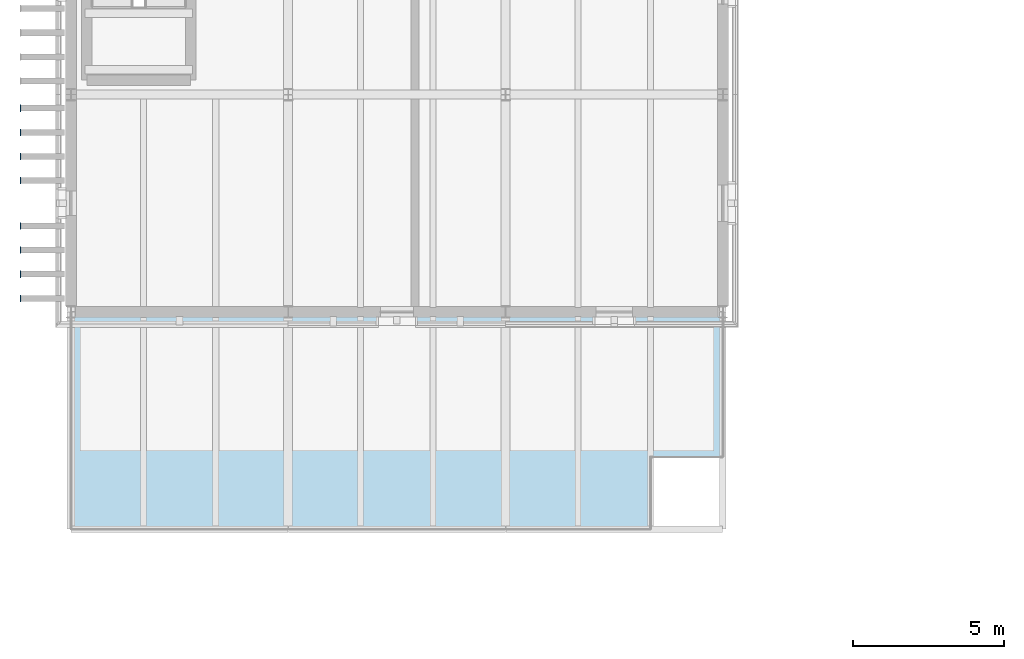
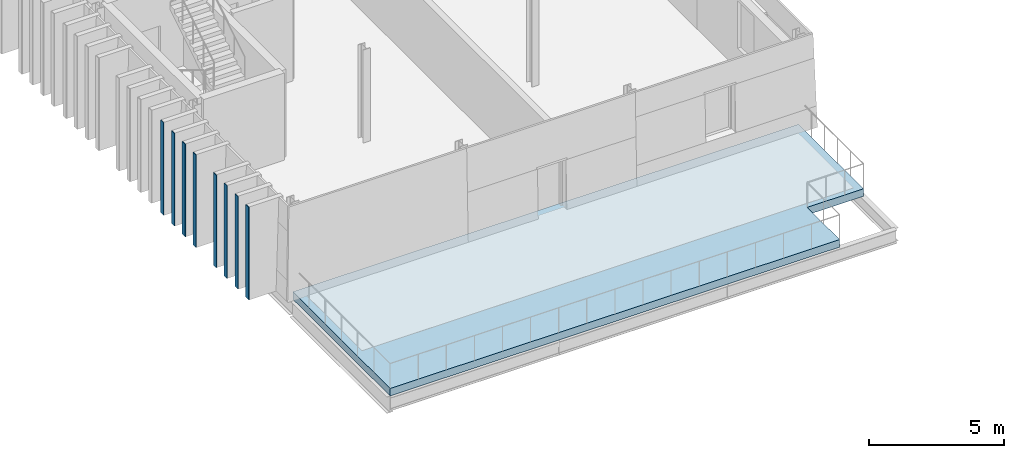
# One storey, part 21 of 66: 8 plates, 1 slab.
"""IFC4 building model written with IfcOpenShell, lengths in metres."""

from ifc_helpers import new_model, si_unit, direction, frame, origin, origin_2d, place, context, subcontext, project, spatial, polyline, rectangle, outline, extrude, material, layer, layer_set, type_object, element, save


model = new_model("IFC4")

# Units and contexts
model_context = context("Model", 3, precision=1e-05, world=origin(), true_north=direction((0.0, 1.0)))
body_context = subcontext(model_context, "Body", "Model", "MODEL_VIEW")
ifc_project = project(units=[si_unit("LENGTHUNIT", "METRE"), si_unit("AREAUNIT", "SQUARE_METRE"), si_unit("VOLUMEUNIT", "CUBIC_METRE"), si_unit("PLANEANGLEUNIT", "RADIAN"), si_unit("MASSUNIT", "GRAM", prefix="KILO")], contexts=[model_context])

# Site, building, storey
site_placement = place(None, origin())
site = spatial("IfcSite", under=ifc_project, at=site_placement, CompositionType="ELEMENT")
building_placement = place(site_placement, origin())
building = spatial("IfcBuilding", under=site, at=building_placement, Name="Narikvali Park Central Library", CompositionType="ELEMENT")
storey_placement = place(building_placement, frame((0.0, 0.0, 18.60009765625)))
storey = spatial("IfcBuildingStorey", under=building, at=storey_placement, Name="L04", CompositionType="ELEMENT", Elevation=18.60009765625)

# Slab
ifc_material_1 = material(Name="Concrete C35/45", Category="concrete")
ifc_layer_1 = layer(ifc_material_1, 0.340087890625, Name="Concrete C35/45")
ifc_layer_set_1 = layer_set([ifc_layer_1], Name="Concrete C35/45")
slab_type = type_object("IfcSlabType", Name="Planted Roof Garden Structural Deck 340", PredefinedType="ROOF", material=ifc_layer_set_1)
slab_placement = place(storey_placement, frame((0.0, 0.0, -0.340087890625)))
element("IfcSlab", 1, at=slab_placement, inside=storey, type_object=slab_type, Name="V5 L04 Planted Roof Garden Deck", PredefinedType="ROOF", context=body_context, shape_type="SweptSolid", body=[
    extrude(outline(polyline([(0.0, 28.800048828125), (19.199951171875, 28.800048828125), (19.199951171875, 31.199951171875), (21.60009765625, 31.199951171875), (21.60009765625, 36.0), (0.0, 36.0), (0.0, 28.800048828125)])), origin(), (0.0, 0.0, 1.0), 0.340087890625),
])

# Plates
ifc_material_2 = material(Name="Anodised Bronze Aluminium", Category="aluminium")
ifc_layer_2 = layer(ifc_material_2, 0.028076171875, Name="Anodised Bronze Aluminium")
ifc_layer_set_2 = layer_set([ifc_layer_2], Name="Anodised Bronze Aluminium")
plate_type = type_object("IfcPlateType", Name="Vertical Brick Fin Bronze Bullnose Cap 28", PredefinedType="SHEET", material=ifc_layer_set_2)
for number, where, z_axis, x_axis, name in (
    (2, (-1.672119140625, 36.449951171875, 0.009765625), (0.0, 0.0, 1.0), (1.0, 0.0, 0.0), "West Stacks Fin Bullnose Trim 037"),
    (3, (-1.672119140625, 37.25, 0.009765625), (0.0, 0.0, 1.0), (1.0, 0.0, 0.0), "West Stacks Fin Bullnose Trim 042"),
    (4, (-1.672119140625, 38.050048828125, 0.009765625), (0.0, 0.0, 1.0), (1.0, 0.0, 0.0), "West Stacks Fin Bullnose Trim 047"),
    (5, (-1.672119140625, 38.85009765625, 0.009765625), (0.0, 0.0, 1.0), (1.0, 0.0, 0.0), "West Stacks Fin Bullnose Trim 052"),
    (6, (-1.672119140625, 40.35009765625, 0.009765625), (0.0, 0.0, 1.0), (1.0, 0.0, 0.0), "West Stacks Fin Bullnose Trim 057"),
    (7, (-1.672119140625, 41.14990234375, 0.009765625), (0.0, 0.0, 1.0), (1.0, 0.0, 0.0), "West Stacks Fin Bullnose Trim 062"),
    (8, (-1.672119140625, 41.949951171875, 0.009765625), (0.0, 0.0, 1.0), (1.0, 0.0, 0.0), "West Stacks Fin Bullnose Trim 067"),
    (9, (-1.672119140625, 42.75, 0.009765625), (0.0, 0.0, 1.0), (1.0, 0.0, 0.0), "West Stacks Fin Bullnose Trim 072"),
):
    element("IfcPlate", number, at=place(storey_placement, frame(where, z_axis=z_axis, x_axis=x_axis)), inside=storey, type_object=plate_type, Name=name, PredefinedType="SHEET", context=body_context, shape_type="SweptSolid", body=[
        extrude(rectangle(XDim=0.028076171875, YDim=0.219970703125, at=origin_2d()), origin(), (0.0, 0.0, 1.0), 4.179931640625),
    ])

save(model, "model.ifc")
